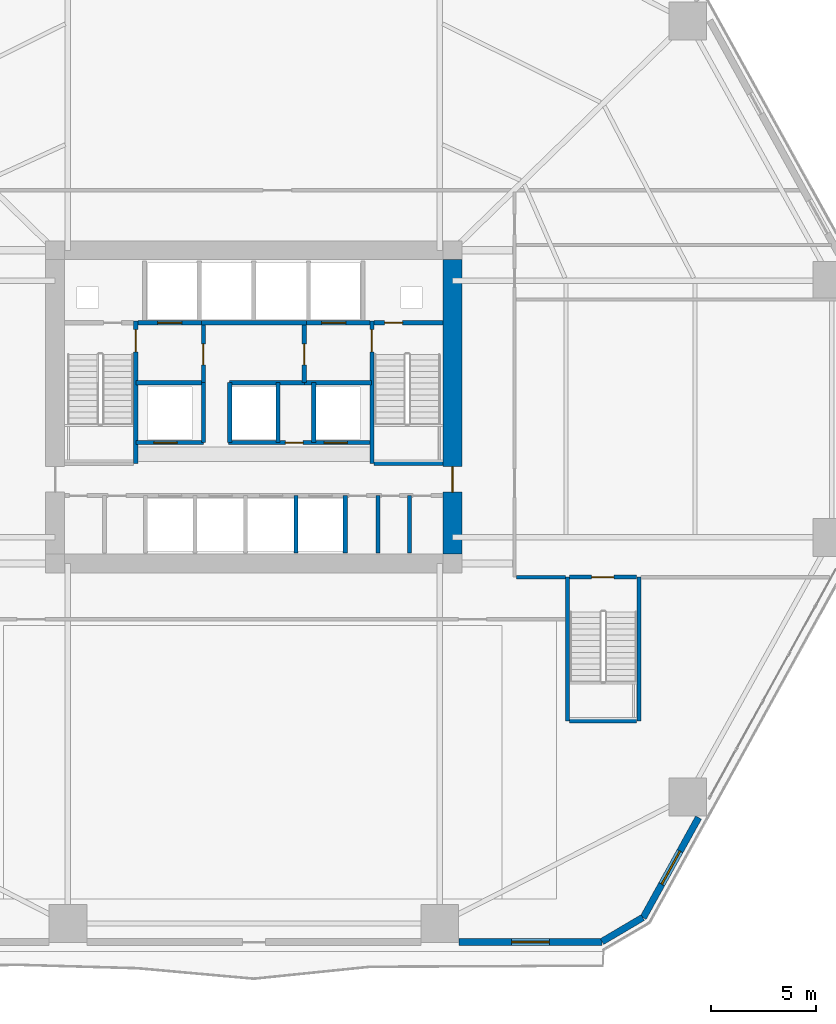
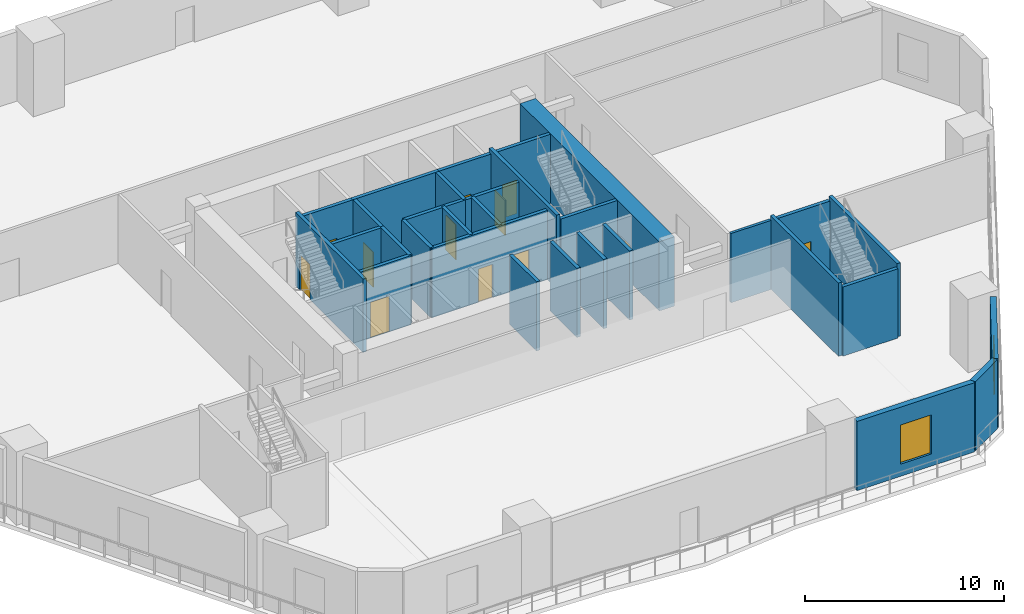
# One storey, part 10 of 18: 31 walls, 12 doors, 2 windows, 14 openings.
"""IFC4 building model written with IfcOpenShell, lengths in metres."""

from ifc_helpers import new_model, si_unit, direction, frame, frame_2d, origin, place, context, subcontext, project, spatial, rectangle, extrude, material, layer, layer_set, type_object, element, fill, save


model = new_model("IFC4")

# Units and contexts
model_context = context("Model", 3, precision=1e-05, world=origin(), true_north=direction((0.0, 1.0)))
body_context = subcontext(model_context, "Body", "Model", "MODEL_VIEW")
ifc_project = project(units=[si_unit("LENGTHUNIT", "METRE"), si_unit("AREAUNIT", "SQUARE_METRE"), si_unit("VOLUMEUNIT", "CUBIC_METRE"), si_unit("PLANEANGLEUNIT", "RADIAN"), si_unit("MASSUNIT", "GRAM", prefix="KILO")], contexts=[model_context])

# Site, building, storey
site_placement = place(None, origin())
site = spatial("IfcSite", under=ifc_project, at=site_placement, CompositionType="ELEMENT")
building_placement = place(site_placement, origin())
building = spatial("IfcBuilding", under=site, at=building_placement, Name="Cinnabar Lancet Tower", CompositionType="ELEMENT")
storey_placement = place(building_placement, frame((0.0, 0.0, 10.5)))
storey = spatial("IfcBuildingStorey", under=building, at=storey_placement, Name="L02", CompositionType="ELEMENT", Elevation=10.5)

# Walls
ifc_material_1 = material(Name="Acoustic twin-stud gypsum partition", Category="gypsum")
ifc_layer_1 = layer(ifc_material_1, 0.159912109375)
ifc_layer_set_1 = layer_set([ifc_layer_1], Name="Acoustic twin-stud gypsum partition")
wall_type_1 = type_object("IfcWallType", Name="ARC-WL-CORR-160", PredefinedType="PARTITIONING", material=ifc_layer_set_1)
wall_1_placement = place(storey_placement, frame((44.885009765625, 17.800048828125, 0.0), z_axis=(0.0, 0.0, 1.0), x_axis=(1.0, 0.0, 0.0)))
element("IfcWall", 1, at=wall_1_placement, inside=storey, type_object=wall_type_1, Name="PW-L02-ESTEP", PredefinedType="PARTITIONING", context=body_context, shape_type="SweptSolid", body=[
    extrude(rectangle(XDim=2.330078125, YDim=0.159912109375, at=frame_2d((1.1650390625, 0.0))), origin(), (0.0, 0.0, 1.0), 4.25),
])
ifc_material_2 = material(Name="Autoclaved aerated concrete blockwork", Category="masonry")
ifc_layer_2 = layer(ifc_material_2, 0.199951171875)
ifc_layer_set_2 = layer_set([ifc_layer_2], Name="Autoclaved aerated concrete blockwork")
wall_type_2 = type_object("IfcWallType", Name="ARC-WL-SHAFT-200", PredefinedType="PLUMBINGWALL", material=ifc_layer_set_2)
wall_2_placement = place(storey_placement, frame((38.125, 23.199951171875, 0.0), z_axis=(0.0, 0.0, 1.0), x_axis=(1.0, 0.0, 0.0)))
element("IfcWall", 2, at=wall_2_placement, inside=storey, type_object=wall_type_2, Name="CW-ST2S-L02", PredefinedType="PLUMBINGWALL", context=body_context, shape_type="SweptSolid", body=[
    extrude(rectangle(XDim=3.27001953125, YDim=0.199951171875, at=frame_2d((1.635009765625, 0.0))), origin(), (0.0, 0.0, 1.0), 4.25),
])

# Wall, opening, door
wall_3_placement = place(storey_placement, frame((26.885009765625, 29.89990234375, 0.0), z_axis=(0.0, 0.0, 1.0), x_axis=(1.0, 0.0, 0.0)))
wall_3 = element("IfcWall", 3, at=wall_3_placement, inside=storey, type_object=wall_type_2, Name="CW-FL1-L02", PredefinedType="PLUMBINGWALL", context=body_context, shape_type="SweptSolid", body=[
    extrude(rectangle(XDim=3.014892578125, YDim=0.199951171875, at=frame_2d((1.50732421875, 0.0))), origin(), (0.0, 0.0, 1.0), 4.25),
])
opening_1_placement = place(wall_3_placement, frame((0.93994140625, 0.0, 0.0)))
opening_1 = element("IfcOpeningElement", 4, at=opening_1_placement, cuts=wall_3, Name="Opening LD-02", PredefinedType="OPENING", context=body_context, shape_type="SweptSolid", body=[
    extrude(rectangle(XDim=1.14990234375, YDim=2.199951171875, at=frame_2d((0.574951171875, 1.10009765625))), frame((0.0, 0.10986328125, 0.0), z_axis=(0.0, -1.0, 0.0), x_axis=(1.0, 0.0, 0.0)), (0.0, 0.0, 1.0), 0.219970703125),
])
ifc_material_3 = material(Name="Fire-rated stainless steel firefighting lift landing door", Category="steel")
door_type_1 = type_object("IfcDoorType", Name="ARC-DR-LD-FIRE", OperationType="NOTDEFINED", PredefinedType="DOOR", material=ifc_material_3)
door_1_placement = place(opening_1_placement, origin())
door_1 = element("IfcDoor", 5, at=door_1_placement, inside=storey, type_object=door_type_1, Name="L02 Firefighting Lift FL-1 Landing Door", OperationType="DOUBLE_DOOR_SLIDING", OverallHeight=2.199951171875, OverallWidth=1.14990234375, PredefinedType="DOOR", context=body_context, shape_type="SweptSolid", body=[
    extrude(rectangle(XDim=1.14990234375, YDim=2.199951171875, at=frame_2d((0.574951171875, 1.10009765625))), frame((0.0, 0.02490234375, 0.0), z_axis=(0.0, -1.0, 0.0), x_axis=(1.0, 0.0, 0.0)), (0.0, 0.0, 1.0), 0.050048828125),
])
fill(opening_1, door_1)

# Wall
wall_4_placement = place(storey_placement, frame((29.89990234375, 29.89990234375, 0.0), z_axis=(0.0, 0.0, 1.0), x_axis=(1.0, 0.0, 0.0)))
element("IfcWall", 6, at=wall_4_placement, inside=storey, type_object=wall_type_2, Name="CW-PL78-L02", PredefinedType="PLUMBINGWALL", context=body_context, shape_type="SweptSolid", body=[
    extrude(rectangle(XDim=5.0, YDim=0.199951171875, at=frame_2d((2.5, 0.0))), origin(), (0.0, 0.0, 1.0), 4.25),
])

# Wall, opening, door
wall_5_placement = place(storey_placement, frame((34.89990234375, 29.89990234375, 0.0), z_axis=(0.0, 0.0, 1.0), x_axis=(1.0, 0.0, 0.0)))
wall_5 = element("IfcWall", 7, at=wall_5_placement, inside=storey, type_object=wall_type_2, Name="CW-FL2-L02", PredefinedType="PLUMBINGWALL", context=body_context, shape_type="SweptSolid", body=[
    extrude(rectangle(XDim=3.01513671875, YDim=0.199951171875, at=frame_2d((1.507568359375, 0.0))), origin(), (0.0, 0.0, 1.0), 4.25),
])
opening_2_placement = place(wall_5_placement, frame((0.72509765625, 0.0, 0.0)))
opening_2 = element("IfcOpeningElement", 8, at=opening_2_placement, cuts=wall_5, Name="Opening LD-02", PredefinedType="OPENING", context=body_context, shape_type="SweptSolid", body=[
    extrude(rectangle(XDim=1.14990234375, YDim=2.199951171875, at=frame_2d((0.574951171875, 1.10009765625))), frame((0.0, 0.10986328125, 0.0), z_axis=(0.0, -1.0, 0.0), x_axis=(1.0, 0.0, 0.0)), (0.0, 0.0, 1.0), 0.219970703125),
])
door_2_placement = place(opening_2_placement, origin())
door_2 = element("IfcDoor", 9, at=door_2_placement, inside=storey, type_object=door_type_1, Name="L02 Firefighting Lift FL-2 Landing Door", OperationType="DOUBLE_DOOR_SLIDING", OverallHeight=2.199951171875, OverallWidth=1.14990234375, PredefinedType="DOOR", context=body_context, shape_type="SweptSolid", body=[
    extrude(rectangle(XDim=1.14990234375, YDim=2.199951171875, at=frame_2d((0.574951171875, 1.10009765625))), frame((0.0, 0.02490234375, 0.0), z_axis=(0.0, -1.0, 0.0), x_axis=(1.0, 0.0, 0.0)), (0.0, 0.0, 1.0), 0.050048828125),
])
fill(opening_2, door_2)

wall_6_placement = place(storey_placement, frame((38.125, 29.89990234375, 0.0), z_axis=(0.0, 0.0, 1.0), x_axis=(1.0, 0.0, 0.0)))
wall_6 = element("IfcWall", 10, at=wall_6_placement, inside=storey, type_object=wall_type_2, Name="CW-NSH-E-L02", PredefinedType="PLUMBINGWALL", context=body_context, shape_type="SweptSolid", body=[
    extrude(rectangle(XDim=3.27001953125, YDim=0.199951171875, at=frame_2d((1.635009765625, 0.0))), origin(), (0.0, 0.0, 1.0), 4.25),
])
opening_3_placement = place(wall_6_placement, frame((0.5, 0.0, 0.0)))
opening_3 = element("IfcOpeningElement", 11, at=opening_3_placement, cuts=wall_6, Name="Opening PD-02", PredefinedType="OPENING", context=body_context, shape_type="SweptSolid", body=[
    extrude(rectangle(XDim=0.85009765625, YDim=2.050048828125, at=frame_2d((0.425048828125, 1.02490234375))), frame((0.0, 0.10986328125, 0.0), z_axis=(0.0, -1.0, 0.0), x_axis=(1.0, 0.0, 0.0)), (0.0, 0.0, 1.0), 0.219970703125),
])
ifc_material_4 = material(Name="Fire-rated steel riser access door", Category="steel")
door_type_2 = type_object("IfcDoorType", Name="ARC-DR-RISER", OperationType="NOTDEFINED", PredefinedType="DOOR", material=ifc_material_4)
door_3_placement = place(opening_3_placement, origin())
door_3 = element("IfcDoor", 12, at=door_3_placement, inside=storey, type_object=door_type_2, Name="L02 East Riser Access Door", OperationType="SINGLE_SWING_RIGHT", OverallHeight=2.050048828125, OverallWidth=0.85009765625, PredefinedType="DOOR", context=body_context, shape_type="SweptSolid", body=[
    extrude(rectangle(XDim=0.85009765625, YDim=2.050048828125, at=frame_2d((0.425048828125, 1.02490234375))), frame((0.0, 0.02490234375, 0.0), z_axis=(0.0, -1.0, 0.0), x_axis=(1.0, 0.0, 0.0)), (0.0, 0.0, 1.0), 0.050048828125),
])
fill(opening_3, door_3)

wall_7_placement = place(storey_placement, frame((30.0, 27.050048828125, 0.0), z_axis=(0.0, 0.0, 1.0), x_axis=(0.0, 1.0, 0.0)))
wall_7 = element("IfcWall", 13, at=wall_7_placement, inside=storey, type_object=wall_type_2, Name="CW-FF1E-L02", PredefinedType="PLUMBINGWALL", context=body_context, shape_type="SweptSolid", body=[
    extrude(rectangle(XDim=2.75, YDim=0.199951171875, at=frame_2d((1.375, 0.0))), origin(), (0.0, 0.0, 1.0), 4.25),
])
opening_4_placement = place(wall_7_placement, frame((0.85009765625, 0.0, 0.0)))
opening_4 = element("IfcOpeningElement", 14, at=opening_4_placement, cuts=wall_7, Name="Opening FD-01", PredefinedType="OPENING", context=body_context, shape_type="SweptSolid", body=[
    extrude(rectangle(XDim=1.0, YDim=2.14990234375, at=frame_2d((0.5, 1.074951171875))), frame((0.0, 0.10986328125, 0.0), z_axis=(0.0, -1.0, 0.0), x_axis=(1.0, 0.0, 0.0)), (0.0, 0.0, 1.0), 0.219970703125),
])
ifc_material_5 = material(Name="Fire-rated timber-core lobby door", Category="wood")
door_type_3 = type_object("IfcDoorType", Name="ARC-DR-FFAL", OperationType="NOTDEFINED", PredefinedType="DOOR", material=ifc_material_5)
door_4_placement = place(opening_4_placement, origin())
door_4 = element("IfcDoor", 15, at=door_4_placement, inside=storey, type_object=door_type_3, Name="L02 FFAL-1 Lobby Fire Door", OperationType="SINGLE_SWING_RIGHT", OverallHeight=2.14990234375, OverallWidth=1.0, PredefinedType="DOOR", context=body_context, shape_type="SweptSolid", body=[
    extrude(rectangle(XDim=1.0, YDim=2.14990234375, at=frame_2d((0.5, 1.074951171875))), frame((0.0, 0.02490234375, 0.0), z_axis=(0.0, -1.0, 0.0), x_axis=(1.0, 0.0, 0.0)), (0.0, 0.0, 1.0), 0.050048828125),
])
fill(opening_4, door_4)

# Wall
wall_8_placement = place(storey_placement, frame((26.800048828125, 27.050048828125, 0.0), z_axis=(0.0, 0.0, 1.0), x_axis=(1.0, 0.0, 0.0)))
element("IfcWall", 16, at=wall_8_placement, inside=storey, type_object=wall_type_2, Name="CW-FF1S-L02", PredefinedType="PLUMBINGWALL", context=body_context, shape_type="SweptSolid", body=[
    extrude(rectangle(XDim=3.199951171875, YDim=0.199951171875, at=frame_2d((1.60009765625, 0.0))), origin(), (0.0, 0.0, 1.0), 4.25),
])

# Wall, opening, door
wall_9_placement = place(storey_placement, frame((34.800048828125, 27.050048828125, 0.0), z_axis=(0.0, 0.0, 1.0), x_axis=(0.0, 1.0, 0.0)))
wall_9 = element("IfcWall", 17, at=wall_9_placement, inside=storey, type_object=wall_type_2, Name="CW-FF2W-L02", PredefinedType="PLUMBINGWALL", context=body_context, shape_type="SweptSolid", body=[
    extrude(rectangle(XDim=2.75, YDim=0.199951171875, at=frame_2d((1.375, 0.0))), origin(), (0.0, 0.0, 1.0), 4.25),
])
opening_5_placement = place(wall_9_placement, frame((0.85009765625, 0.0, 0.0)))
opening_5 = element("IfcOpeningElement", 18, at=opening_5_placement, cuts=wall_9, Name="Opening FD-01", PredefinedType="OPENING", context=body_context, shape_type="SweptSolid", body=[
    extrude(rectangle(XDim=1.0, YDim=2.14990234375, at=frame_2d((0.5, 1.074951171875))), frame((0.0, 0.10986328125, 0.0), z_axis=(0.0, -1.0, 0.0), x_axis=(1.0, 0.0, 0.0)), (0.0, 0.0, 1.0), 0.219970703125),
])
door_5_placement = place(opening_5_placement, origin())
door_5 = element("IfcDoor", 19, at=door_5_placement, inside=storey, type_object=door_type_3, Name="L02 FFAL-2 Lobby Fire Door", OperationType="SINGLE_SWING_LEFT", OverallHeight=2.14990234375, OverallWidth=1.0, PredefinedType="DOOR", context=body_context, shape_type="SweptSolid", body=[
    extrude(rectangle(XDim=1.0, YDim=2.14990234375, at=frame_2d((0.5, 1.074951171875))), frame((0.0, 0.02490234375, 0.0), z_axis=(0.0, -1.0, 0.0), x_axis=(1.0, 0.0, 0.0)), (0.0, 0.0, 1.0), 0.050048828125),
])
fill(opening_5, door_5)

# Wall
wall_10_placement = place(storey_placement, frame((34.800048828125, 27.050048828125, 0.0), z_axis=(0.0, 0.0, 1.0), x_axis=(1.0, 0.0, 0.0)))
element("IfcWall", 20, at=wall_10_placement, inside=storey, type_object=wall_type_2, Name="CW-FF2S-L02", PredefinedType="PLUMBINGWALL", context=body_context, shape_type="SweptSolid", body=[
    extrude(rectangle(XDim=3.199951171875, YDim=0.199951171875, at=frame_2d((1.60009765625, 0.0))), origin(), (0.0, 0.0, 1.0), 4.25),
])

# Wall, opening, door
wall_11_placement = place(storey_placement, frame((26.800048828125, 24.199951171875, 0.0), z_axis=(0.0, 0.0, 1.0), x_axis=(1.0, 0.0, 0.0)))
wall_11 = element("IfcWall", 21, at=wall_11_placement, inside=storey, type_object=wall_type_2, Name="CW-PL5S-L02", PredefinedType="PLUMBINGWALL", context=body_context, shape_type="SweptSolid", body=[
    extrude(rectangle(XDim=3.199951171875, YDim=0.199951171875, at=frame_2d((1.60009765625, 0.0))), origin(), (0.0, 0.0, 1.0), 4.25),
])
opening_6_placement = place(wall_11_placement, frame((0.85009765625, 0.0, 0.0)))
opening_6 = element("IfcOpeningElement", 22, at=opening_6_placement, cuts=wall_11, Name="Opening LD-01", PredefinedType="OPENING", context=body_context, shape_type="SweptSolid", body=[
    extrude(rectangle(XDim=1.10009765625, YDim=2.199951171875, at=frame_2d((0.550048828125, 1.10009765625))), frame((0.0, 0.10986328125, 0.0), z_axis=(0.0, -1.0, 0.0), x_axis=(1.0, 0.0, 0.0)), (0.0, 0.0, 1.0), 0.219970703125),
])
ifc_material_6 = material(Name="Brushed stainless steel sliding lift door", Category="steel")
door_type_4 = type_object("IfcDoorType", Name="ARC-DR-LD-PASS", OperationType="NOTDEFINED", PredefinedType="DOOR", material=ifc_material_6)
door_6_placement = place(opening_6_placement, origin())
door_6 = element("IfcDoor", 23, at=door_6_placement, inside=storey, type_object=door_type_4, Name="L02 Lift PL-5 Landing Door", OperationType="DOUBLE_DOOR_SLIDING", OverallHeight=2.199951171875, OverallWidth=1.10009765625, PredefinedType="DOOR", context=body_context, shape_type="SweptSolid", body=[
    extrude(rectangle(XDim=1.10009765625, YDim=2.199951171875, at=frame_2d((0.550048828125, 1.10009765625))), frame((0.0, 0.02490234375, 0.0), z_axis=(0.0, -1.0, 0.0), x_axis=(1.0, 0.0, 0.0)), (0.0, 0.0, 1.0), 0.050048828125),
])
fill(opening_6, door_6)

# Wall
wall_12_placement = place(storey_placement, frame((30.0, 24.199951171875, 0.0), z_axis=(0.0, 0.0, 1.0), x_axis=(0.0, 1.0, 0.0)))
element("IfcWall", 24, at=wall_12_placement, inside=storey, type_object=wall_type_2, Name="CW-PL5E-L02", PredefinedType="PLUMBINGWALL", context=body_context, shape_type="SweptSolid", body=[
    extrude(rectangle(XDim=2.85009765625, YDim=0.199951171875, at=frame_2d((1.425048828125, 0.0))), origin(), (0.0, 0.0, 1.0), 4.25),
])

# Wall, openings, doors
wall_13_placement = place(storey_placement, frame((31.199951171875, 24.199951171875, 0.0), z_axis=(0.0, 0.0, 1.0), x_axis=(1.0, 0.0, 0.0)))
wall_13 = element("IfcWall", 25, at=wall_13_placement, inside=storey, type_object=wall_type_2, Name="CW-PL96S-L02", PredefinedType="PLUMBINGWALL", context=body_context, shape_type="SweptSolid", body=[
    extrude(rectangle(XDim=6.800048828125, YDim=0.199951171875, at=frame_2d((3.39990234375, 0.0))), origin(), (0.0, 0.0, 1.0), 4.25),
])
opening_7_placement = place(wall_13_placement, frame((2.699951171875, 0.0, 0.0)))
opening_7 = element("IfcOpeningElement", 26, at=opening_7_placement, cuts=wall_13, Name="Opening PD-02", PredefinedType="OPENING", context=body_context, shape_type="SweptSolid", body=[
    extrude(rectangle(XDim=0.85009765625, YDim=2.050048828125, at=frame_2d((0.425048828125, 1.02490234375))), frame((0.0, 0.10986328125, 0.0), z_axis=(0.0, -1.0, 0.0), x_axis=(1.0, 0.0, 0.0)), (0.0, 0.0, 1.0), 0.219970703125),
])
opening_8_placement = place(wall_13_placement, frame((4.550048828125, 0.0, 0.0)))
opening_8 = element("IfcOpeningElement", 27, at=opening_8_placement, cuts=wall_13, Name="Opening LD-01", PredefinedType="OPENING", context=body_context, shape_type="SweptSolid", body=[
    extrude(rectangle(XDim=1.10009765625, YDim=2.199951171875, at=frame_2d((0.550048828125, 1.10009765625))), frame((0.0, 0.10986328125, 0.0), z_axis=(0.0, -1.0, 0.0), x_axis=(1.0, 0.0, 0.0)), (0.0, 0.0, 1.0), 0.219970703125),
])
door_7_placement = place(opening_8_placement, origin())
door_7 = element("IfcDoor", 28, at=door_7_placement, inside=storey, type_object=door_type_4, Name="L02 Lift PL-6 Landing Door", OperationType="DOUBLE_DOOR_SLIDING", OverallHeight=2.199951171875, OverallWidth=1.10009765625, PredefinedType="DOOR", context=body_context, shape_type="SweptSolid", body=[
    extrude(rectangle(XDim=1.10009765625, YDim=2.199951171875, at=frame_2d((0.550048828125, 1.10009765625))), frame((0.0, 0.02490234375, 0.0), z_axis=(0.0, -1.0, 0.0), x_axis=(1.0, 0.0, 0.0)), (0.0, 0.0, 1.0), 0.050048828125),
])
fill(opening_8, door_7)
door_8_placement = place(opening_7_placement, origin())
door_8 = element("IfcDoor", 29, at=door_8_placement, inside=storey, type_object=door_type_2, Name="L02 BMS Closet Door", OperationType="SINGLE_SWING_LEFT", OverallHeight=2.050048828125, OverallWidth=0.85009765625, PredefinedType="DOOR", context=body_context, shape_type="SweptSolid", body=[
    extrude(rectangle(XDim=0.85009765625, YDim=2.050048828125, at=frame_2d((0.425048828125, 1.02490234375))), frame((0.0, 0.02490234375, 0.0), z_axis=(0.0, -1.0, 0.0), x_axis=(1.0, 0.0, 0.0)), (0.0, 0.0, 1.0), 0.050048828125),
])
fill(opening_7, door_8)

# Walls
for number, where, z_axis, x_axis, name in (
    (30, (31.25, 24.199951171875, 0.0), (0.0, 0.0, 1.0), (0.0, 1.0, 0.0), "CW-PL9W-L02"),
    (31, (33.550048828125, 24.199951171875, 0.0), (0.0, 0.0, 1.0), (0.0, 1.0, 0.0), "CW-PL9E-L02"),
    (32, (35.25, 24.199951171875, 0.0), (0.0, 0.0, 1.0), (0.0, 1.0, 0.0), "CW-PL6W-L02"),
):
    element("IfcWall", number, at=place(storey_placement, frame(where, z_axis=z_axis, x_axis=x_axis)), inside=storey, type_object=wall_type_2, Name=name, PredefinedType="PLUMBINGWALL", context=body_context, shape_type="SweptSolid", body=[
        extrude(rectangle(XDim=2.85009765625, YDim=0.199951171875, at=frame_2d((1.425048828125, 0.0))), origin(), (0.0, 0.0, 1.0), 4.25),
    ])
wall_14_placement = place(storey_placement, frame((31.25, 27.050048828125, 0.0), z_axis=(0.0, 0.0, 1.0), x_axis=(1.0, 0.0, 0.0)))
element("IfcWall", 33, at=wall_14_placement, inside=storey, type_object=wall_type_2, Name="CW-PL96N-L02", PredefinedType="PLUMBINGWALL", context=body_context, shape_type="SweptSolid", body=[
    extrude(rectangle(XDim=3.550048828125, YDim=0.199951171875, at=frame_2d((1.77490234375, 0.0))), origin(), (0.0, 0.0, 1.0), 4.25),
])
for number, where, z_axis, x_axis, name in (
    (34, (34.39990234375, 18.949951171875, 0.0), (0.0, 0.0, 1.0), (0.0, 1.0, 0.0), "CW-SB-3440-L02"),
    (35, (36.75, 18.949951171875, 0.0), (0.0, 0.0, 1.0), (0.0, 1.0, 0.0), "CW-SB-3675-L02"),
    (36, (38.300048828125, 18.949951171875, 0.0), (0.0, 0.0, 1.0), (0.0, 1.0, 0.0), "CW-SBC2-383-L02"),
    (37, (39.800048828125, 18.949951171875, 0.0), (0.0, 0.0, 1.0), (0.0, 1.0, 0.0), "CW-SBC2-398-L02"),
):
    element("IfcWall", number, at=place(storey_placement, frame(where, z_axis=z_axis, x_axis=x_axis)), inside=storey, type_object=wall_type_2, Name=name, PredefinedType="PLUMBINGWALL", context=body_context, shape_type="SweptSolid", body=[
        extrude(rectangle(XDim=2.72998046875, YDim=0.199951171875, at=frame_2d((1.364990234375, 0.0))), origin(), (0.0, 0.0, 1.0), 4.25),
    ])
wall_15_placement = place(storey_placement, frame((47.425048828125, 10.949951171875, 0.0), z_axis=(0.0, 0.0, 1.0), x_axis=(1.0, 0.0, 0.0)))
element("IfcWall", 38, at=wall_15_placement, inside=storey, type_object=wall_type_2, Name="PW-ST4S-L02", PredefinedType="PLUMBINGWALL", context=body_context, shape_type="SweptSolid", body=[
    extrude(rectangle(XDim=3.18994140625, YDim=0.199951171875, at=frame_2d((1.594970703125, 0.0))), origin(), (0.0, 0.0, 1.0), 4.25),
])

# Wall, opening, door
wall_16_placement = place(storey_placement, frame((47.425048828125, 17.800048828125, 0.0), z_axis=(0.0, 0.0, 1.0), x_axis=(1.0, 0.0, 0.0)))
wall_16 = element("IfcWall", 39, at=wall_16_placement, inside=storey, type_object=wall_type_2, Name="PW-ST4N-L02", PredefinedType="PLUMBINGWALL", context=body_context, shape_type="SweptSolid", body=[
    extrude(rectangle(XDim=3.18994140625, YDim=0.199951171875, at=frame_2d((1.594970703125, 0.0))), origin(), (0.0, 0.0, 1.0), 4.25),
])
opening_9_placement = place(wall_16_placement, frame((1.050048828125, 0.0, 0.0)))
opening_9 = element("IfcOpeningElement", 40, at=opening_9_placement, cuts=wall_16, Name="Opening SD-01", PredefinedType="OPENING", context=body_context, shape_type="SweptSolid", body=[
    extrude(rectangle(XDim=1.050048828125, YDim=2.14990234375, at=frame_2d((0.52490234375, 1.074951171875))), frame((0.0, 0.10986328125, 0.0), z_axis=(0.0, -1.0, 0.0), x_axis=(1.0, 0.0, 0.0)), (0.0, 0.0, 1.0), 0.219970703125),
])
ifc_material_7 = material(Name="Fire-rated steel stair exit door", Category="steel")
door_type_5 = type_object("IfcDoorType", Name="ARC-DR-STAIR", OperationType="NOTDEFINED", PredefinedType="DOOR", material=ifc_material_7)
door_9_placement = place(opening_9_placement, origin())
door_9 = element("IfcDoor", 41, at=door_9_placement, inside=storey, type_object=door_type_5, Name="L02 Podium Stair ST-4 Fire Door", OperationType="SINGLE_SWING_RIGHT", OverallHeight=2.14990234375, OverallWidth=1.050048828125, PredefinedType="DOOR", context=body_context, shape_type="SweptSolid", body=[
    extrude(rectangle(XDim=1.050048828125, YDim=2.14990234375, at=frame_2d((0.52490234375, 1.074951171875))), frame((0.0, 0.02490234375, 0.0), z_axis=(0.0, -1.0, 0.0), x_axis=(1.0, 0.0, 0.0)), (0.0, 0.0, 1.0), 0.050048828125),
])
fill(opening_9, door_9)

# Wall
ifc_material_8 = material(Name="Warm buff clay brick", Category="masonry")
ifc_layer_3 = layer(ifc_material_8, 0.320068359375)
ifc_layer_set_3 = layer_set([ifc_layer_3], Name="Warm buff clay brick")
wall_type_3 = type_object("IfcWallType", Name="ENV-WL-BRK-BUF-320", PredefinedType="STANDARD", material=ifc_layer_set_3)
wall_17_placement = place(storey_placement, frame((48.962890625, 0.462890625, 0.0), z_axis=(0.0, 0.0, 1.0), x_axis=(0.861209017918, 0.508250949293, 0.0)))
element("IfcWall", 42, at=wall_17_placement, inside=storey, type_object=wall_type_3, Name="L02 Chamfered Corner Brick Pier 2.1", PredefinedType="STANDARD", context=body_context, shape_type="SweptSolid", body=[
    extrude(rectangle(XDim=2.2529296875, YDim=0.320068359375, at=frame_2d((1.12646484375, 0.0))), origin(), (0.0, 0.0, 1.0), 4.25),
])

# Wall, opening, window
wall_18_placement = place(storey_placement, frame((42.14892578125, 0.43994140625, 0.0), z_axis=(0.0, 0.0, 1.0), x_axis=(1.0, 0.0, 0.0)))
wall_18 = element("IfcWall", 43, at=wall_18_placement, inside=storey, type_object=wall_type_3, Name="L02 Face 1 Masonry Bay Wall 3", PredefinedType="STANDARD", context=body_context, shape_type="SweptSolid", body=[
    extrude(rectangle(XDim=6.819091796875, YDim=0.320068359375, at=frame_2d((3.40966796875, 0.0))), origin(), (0.0, 0.0, 1.0), 4.25),
])
opening_10_placement = place(wall_18_placement, frame((2.510009765625, 0.0, 0.75)))
opening_10 = element("IfcOpeningElement", 44, at=opening_10_placement, cuts=wall_18, Name="Opening WN-05", PredefinedType="OPENING", context=body_context, shape_type="SweptSolid", body=[
    extrude(rectangle(XDim=1.800048828125, YDim=2.39990234375, at=frame_2d((0.89990234375, 1.199951171875))), frame((0.0, 0.169921875, 0.0), z_axis=(0.0, -1.0, 0.0), x_axis=(1.0, 0.0, 0.0)), (0.0, 0.0, 1.0), 0.340087890625),
])
ifc_material_9 = material(Name="Thermally broken bronze-anodized aluminium podium lancet window", Category="aluminium")
window_type = type_object("IfcWindowType", Name="ENV-WN-POD-1800", PartitioningType="SINGLE_PANEL", PredefinedType="WINDOW", material=ifc_material_9)
window_1_placement = place(opening_10_placement, origin())
window_1 = element("IfcWindow", 45, at=window_1_placement, inside=storey, type_object=window_type, Name="L02 Face 1 Gothic Lancet Window 3", OverallHeight=2.39990234375, OverallWidth=1.800048828125, PartitioningType="SINGLE_PANEL", PredefinedType="WINDOW", context=body_context, shape_type="SweptSolid", body=[
    extrude(rectangle(XDim=1.800048828125, YDim=2.39990234375, at=frame_2d((0.89990234375, 1.199951171875))), frame((0.0, 0.030029296875, 0.0), z_axis=(0.0, -1.0, 0.0), x_axis=(1.0, 0.0, 0.0)), (0.0, 0.0, 1.0), 0.06005859375),
])
fill(opening_10, window_1)

wall_19_placement = place(storey_placement, frame((50.9208984375, 1.593017578125, 0.0), z_axis=(0.0, 0.0, 1.0), x_axis=(0.483675274773, 0.875247524174, 0.0)))
wall_19 = element("IfcWall", 46, at=wall_19_placement, inside=storey, type_object=wall_type_3, Name="L02 Face 2 Masonry Bay Wall 1", PredefinedType="STANDARD", context=body_context, shape_type="SweptSolid", body=[
    extrude(rectangle(XDim=5.449951171875, YDim=0.320068359375, at=frame_2d((2.72509765625, 0.0))), origin(), (0.0, 0.0, 1.0), 4.25),
])
opening_11_placement = place(wall_19_placement, frame((1.824951171875, 0.0, 0.75)))
opening_11 = element("IfcOpeningElement", 47, at=opening_11_placement, cuts=wall_19, Name="Opening WN-05", PredefinedType="OPENING", context=body_context, shape_type="SweptSolid", body=[
    extrude(rectangle(XDim=1.800048828125, YDim=2.39990234375, at=frame_2d((0.89990234375, 1.199951171875))), frame((0.0, 0.169921875, 0.0), z_axis=(0.0, -1.0, 0.0), x_axis=(1.0, 0.0, 0.0)), (0.0, 0.0, 1.0), 0.340087890625),
])
window_2_placement = place(opening_11_placement, origin())
window_2 = element("IfcWindow", 48, at=window_2_placement, inside=storey, type_object=window_type, Name="L02 Face 2 Gothic Lancet Window 1", OverallHeight=2.39990234375, OverallWidth=1.800048828125, PartitioningType="SINGLE_PANEL", PredefinedType="WINDOW", context=body_context, shape_type="SweptSolid", body=[
    extrude(rectangle(XDim=1.800048828125, YDim=2.39990234375, at=frame_2d((0.89990234375, 1.199951171875))), frame((0.0, 0.030029296875, 0.0), z_axis=(0.0, -1.0, 0.0), x_axis=(1.0, 0.0, 0.0)), (0.0, 0.0, 1.0), 0.06005859375),
])
fill(opening_11, window_2)

# Wall, opening, door
ifc_material_10 = material(Name="Concrete C80/95", Category="concrete")
ifc_layer_4 = layer(ifc_material_10, 0.89990234375)
ifc_layer_set_4 = layer_set([ifc_layer_4], Name="Concrete C80/95")
wall_type_4 = type_object("IfcWallType", Name="STR-WL-CORE-900", PredefinedType="SHEAR", material=ifc_layer_set_4)
wall_20_placement = place(storey_placement, frame((41.85009765625, 18.89990234375, 0.0), z_axis=(0.0, 0.0, 1.0), x_axis=(0.0, 1.0, 0.0)))
wall_20 = element("IfcWall", 49, at=wall_20_placement, inside=storey, type_object=wall_type_4, Name="L02 Core Shear Wall E", PredefinedType="SHEAR", context=body_context, shape_type="SweptSolid", body=[
    extrude(rectangle(XDim=14.0, YDim=0.89990234375, at=frame_2d((7.0, 0.0))), origin(), (0.0, 0.0, 1.0), 4.25),
])
opening_12_placement = place(wall_20_placement, frame((2.93994140625, 0.0, 0.0)))
opening_12 = element("IfcOpeningElement", 50, at=opening_12_placement, cuts=wall_20, Name="Opening FD-02", PredefinedType="OPENING", context=body_context, shape_type="SweptSolid", body=[
    extrude(rectangle(XDim=1.219970703125, YDim=2.25, at=frame_2d((0.60986328125, 1.125))), frame((0.0, 0.4599609375, 0.0), z_axis=(0.0, -1.0, 0.0), x_axis=(1.0, 0.0, 0.0)), (0.0, 0.0, 1.0), 0.919921875),
])
ifc_material_11 = material(Name="Fire-rated double-vision core portal door", Category="wood")
door_type_6 = type_object("IfcDoorType", Name="ARC-DR-CPORT", OperationType="NOTDEFINED", PredefinedType="DOOR", material=ifc_material_11)
door_10_placement = place(opening_12_placement, origin())
door_10 = element("IfcDoor", 51, at=door_10_placement, inside=storey, type_object=door_type_6, Name="L02 East Core Lobby Fire Door", OperationType="SINGLE_SWING_LEFT", OverallHeight=2.25, OverallWidth=1.219970703125, PredefinedType="DOOR", context=body_context, shape_type="SweptSolid", body=[
    extrude(rectangle(XDim=1.219970703125, YDim=2.25, at=frame_2d((0.60986328125, 1.125))), frame((0.0, 0.02490234375, 0.0), z_axis=(0.0, -1.0, 0.0), x_axis=(1.0, 0.0, 0.0)), (0.0, 0.0, 1.0), 0.050048828125),
])
fill(opening_12, door_10)

ifc_material_12 = material(Name="Concrete C50/60", Category="concrete")
ifc_layer_5 = layer(ifc_material_12, 0.199951171875)
ifc_layer_set_5 = layer_set([ifc_layer_5], Name="Concrete C50/60")
wall_type_5 = type_object("IfcWallType", Name="STR-WL-STAIR-200", PredefinedType="SHEAR", material=ifc_layer_set_5)
wall_21_placement = place(storey_placement, frame((26.780029296875, 23.199951171875, 0.0), z_axis=(0.0, 0.0, 1.0), x_axis=(0.0, 1.0, 0.0)))
wall_21 = element("IfcWall", 52, at=wall_21_placement, inside=storey, type_object=wall_type_5, Name="L02 Stair ST-1 Structural Enclosure Wall", PredefinedType="SHEAR", context=body_context, shape_type="SweptSolid", body=[
    extrude(rectangle(XDim=6.780029296875, YDim=0.199951171875, at=frame_2d((3.39013671875, 0.0))), origin(), (0.0, 0.0, 1.0), 4.5),
])
opening_13_placement = place(wall_21_placement, frame((5.320068359375, 0.0, 0.0)))
opening_13 = element("IfcOpeningElement", 53, at=opening_13_placement, cuts=wall_21, Name="Opening SD-01", PredefinedType="OPENING", context=body_context, shape_type="SweptSolid", body=[
    extrude(rectangle(XDim=1.050048828125, YDim=2.14990234375, at=frame_2d((0.52490234375, 1.074951171875))), frame((0.0, 0.10986328125, 0.0), z_axis=(0.0, -1.0, 0.0), x_axis=(1.0, 0.0, 0.0)), (0.0, 0.0, 1.0), 0.219970703125),
])
door_11_placement = place(opening_13_placement, origin())
door_11 = element("IfcDoor", 54, at=door_11_placement, inside=storey, type_object=door_type_5, Name="L02 Stair ST-1 Fire Door", OperationType="SINGLE_SWING_LEFT", OverallHeight=2.14990234375, OverallWidth=1.050048828125, PredefinedType="DOOR", context=body_context, shape_type="SweptSolid", body=[
    extrude(rectangle(XDim=1.050048828125, YDim=2.14990234375, at=frame_2d((0.52490234375, 1.074951171875))), frame((0.0, 0.02490234375, 0.0), z_axis=(0.0, -1.0, 0.0), x_axis=(1.0, 0.0, 0.0)), (0.0, 0.0, 1.0), 0.050048828125),
])
fill(opening_13, door_11)

wall_22_placement = place(storey_placement, frame((38.02001953125, 23.199951171875, 0.0), z_axis=(0.0, 0.0, 1.0), x_axis=(0.0, 1.0, 0.0)))
wall_22 = element("IfcWall", 55, at=wall_22_placement, inside=storey, type_object=wall_type_5, Name="L02 Stair ST-2 Structural Enclosure Wall", PredefinedType="SHEAR", context=body_context, shape_type="SweptSolid", body=[
    extrude(rectangle(XDim=6.780029296875, YDim=0.199951171875, at=frame_2d((3.39013671875, 0.0))), origin(), (0.0, 0.0, 1.0), 4.5),
])
opening_14_placement = place(wall_22_placement, frame((5.320068359375, 0.0, 0.0)))
opening_14 = element("IfcOpeningElement", 56, at=opening_14_placement, cuts=wall_22, Name="Opening SD-01", PredefinedType="OPENING", context=body_context, shape_type="SweptSolid", body=[
    extrude(rectangle(XDim=1.050048828125, YDim=2.14990234375, at=frame_2d((0.52490234375, 1.074951171875))), frame((0.0, 0.10986328125, 0.0), z_axis=(0.0, -1.0, 0.0), x_axis=(1.0, 0.0, 0.0)), (0.0, 0.0, 1.0), 0.219970703125),
])
door_12_placement = place(opening_14_placement, origin())
door_12 = element("IfcDoor", 57, at=door_12_placement, inside=storey, type_object=door_type_5, Name="L02 Stair ST-2 Fire Door", OperationType="SINGLE_SWING_RIGHT", OverallHeight=2.14990234375, OverallWidth=1.050048828125, PredefinedType="DOOR", context=body_context, shape_type="SweptSolid", body=[
    extrude(rectangle(XDim=1.050048828125, YDim=2.14990234375, at=frame_2d((0.52490234375, 1.074951171875))), frame((0.0, 0.02490234375, 0.0), z_axis=(0.0, -1.0, 0.0), x_axis=(1.0, 0.0, 0.0)), (0.0, 0.0, 1.0), 0.050048828125),
])
fill(opening_14, door_12)

# Walls
for number, where, z_axis, x_axis, name in (
    (58, (47.320068359375, 10.949951171875, 0.0), (0.0, 0.0, 1.0), (0.0, 1.0, 0.0), "L02 Stair ST4 West Structural Wall"),
    (59, (50.719970703125, 10.949951171875, 0.0), (0.0, 0.0, 1.0), (0.0, 1.0, 0.0), "L02 Stair ST4 East Structural Wall"),
):
    element("IfcWall", number, at=place(storey_placement, frame(where, z_axis=z_axis, x_axis=x_axis)), inside=storey, type_object=wall_type_5, Name=name, PredefinedType="SHEAR", context=body_context, shape_type="SweptSolid", body=[
        extrude(rectangle(XDim=6.85009765625, YDim=0.199951171875, at=frame_2d((3.425048828125, 0.0))), origin(), (0.0, 0.0, 1.0), 4.5),
    ])

save(model, "model.ifc")
